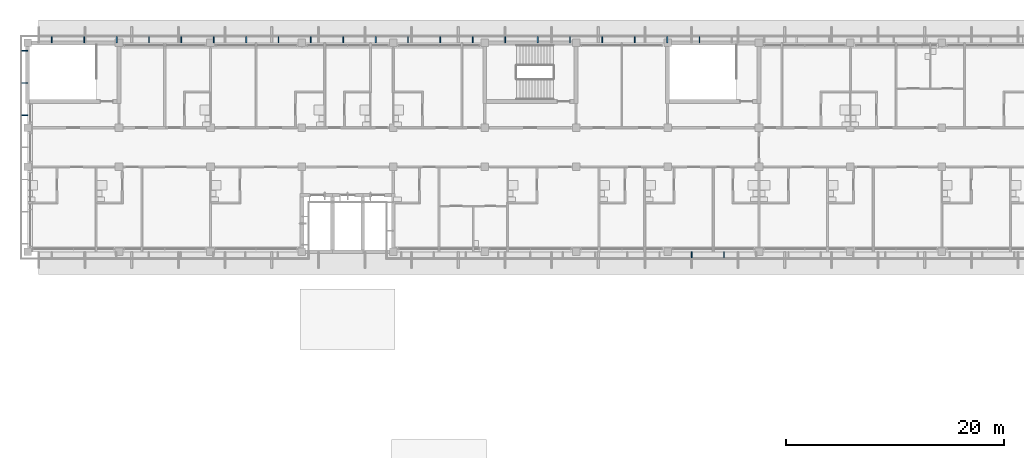
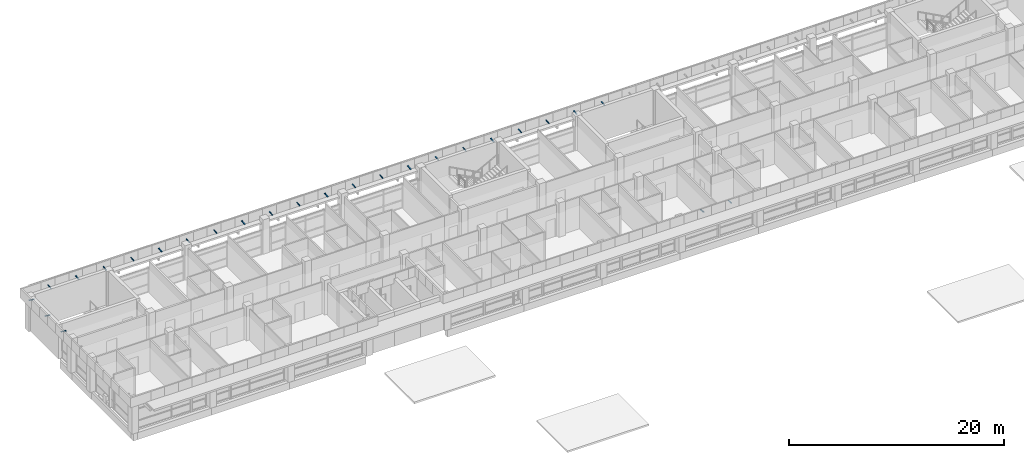
# One storey, part 25 of 36: 26 discrete accessories.
"""IFC4 building model written with IfcOpenShell, lengths in metres."""

from ifc_helpers import new_model, si_unit, direction, frame, origin, origin_2d, place, context, subcontext, project, spatial, rectangle, extrude, material, material_profile, profile_set, type_object, element, save


model = new_model("IFC4")

# Units and contexts
model_context = context("Model", 3, precision=1e-05, world=origin(), true_north=direction((0.0, 1.0)))
body_context = subcontext(model_context, "Body", "Model", "MODEL_VIEW")
ifc_project = project(units=[si_unit("LENGTHUNIT", "METRE"), si_unit("AREAUNIT", "SQUARE_METRE"), si_unit("VOLUMEUNIT", "CUBIC_METRE"), si_unit("PLANEANGLEUNIT", "RADIAN"), si_unit("MASSUNIT", "GRAM", prefix="KILO")], contexts=[model_context])

# Site, building, storey
site_placement = place(None, origin())
site = spatial("IfcSite", under=ifc_project, at=site_placement, CompositionType="ELEMENT")
building_placement = place(site_placement, origin())
building = spatial("IfcBuilding", under=site, at=building_placement, Name="Bougainvillea Quay General Hospital", CompositionType="ELEMENT")
storey_placement = place(building_placement, frame((0.0, 0.0, 32.699951171875)))
storey = spatial("IfcBuildingStorey", under=building, at=storey_placement, Name="L07", CompositionType="ELEMENT", Elevation=32.699951171875)

# Discrete accessories
ifc_material = material(Name="Stainless steel bracket, grade 316", Category="steel")
ifc_material_profile = material_profile(ifc_material, rectangle(XDim=0.080078125, YDim=0.050048828125, at=origin_2d()))
ifc_profile_set = profile_set([ifc_material_profile], Name="Stainless steel bracket, grade 316")
discrete_accessory_type = type_object("IfcDiscreteAccessoryType", Name="Stainless steel stand-off bracket 80x50", PredefinedType="BRACKET", material=ifc_profile_set)
for number, where, z_axis, x_axis, name in (
    (1, (103.731201171875, 159.60009765625, 3.840087890625), (0.0, 0.994086591779, 0.108590276011), (-1.0, 0.0, 0.0), "Fascia bracket e0 55"),
    (2, (100.75634765625, 159.60009765625, 3.840087890625), (0.0, 0.994086591779, 0.108590276011), (-1.0, 0.0, 0.0), "Fascia bracket e0 57"),
    (3, (97.78125, 159.60009765625, 3.840087890625), (0.0, 0.994086591779, 0.108590276011), (-1.0, 0.0, 0.0), "Fascia bracket e0 59"),
    (4, (94.80615234375, 159.60009765625, 3.840087890625), (0.0, 0.994086591779, 0.108590276011), (-1.0, 0.0, 0.0), "Fascia bracket e0 61"),
    (5, (91.831298828125, 159.60009765625, 3.840087890625), (0.0, 0.994086591779, 0.108590276011), (-1.0, 0.0, 0.0), "Fascia bracket e0 63"),
    (6, (88.856201171875, 159.60009765625, 3.840087890625), (0.0, 0.994086591779, 0.108590276011), (-1.0, 0.0, 0.0), "Fascia bracket e0 65"),
    (7, (85.88134765625, 159.60009765625, 3.840087890625), (0.0, 0.994086591779, 0.108590276011), (-1.0, 0.0, 0.0), "Fascia bracket e0 67"),
    (8, (82.90625, 159.60009765625, 3.840087890625), (0.0, 0.994086591779, 0.108590276011), (-1.0, 0.0, 0.0), "Fascia bracket e0 69"),
    (9, (79.93115234375, 159.60009765625, 3.840087890625), (0.0, 0.994086591779, 0.108590276011), (-1.0, 0.0, 0.0), "Fascia bracket e0 71"),
    (10, (76.956298828125, 159.60009765625, 3.840087890625), (0.0, 0.994086591779, 0.108590276011), (-1.0, 0.0, 0.0), "Fascia bracket e0 73"),
    (11, (73.981201171875, 159.60009765625, 3.840087890625), (0.0, 0.994086591779, 0.108590276011), (-1.0, 0.0, 0.0), "Fascia bracket e0 75"),
    (12, (71.00634765625, 159.60009765625, 3.840087890625), (0.0, 0.994086591779, 0.108590276011), (-1.0, 0.0, 0.0), "Fascia bracket e0 77"),
    (13, (68.03125, 159.60009765625, 3.840087890625), (0.0, 0.994086591779, 0.108590276011), (-1.0, 0.0, 0.0), "Fascia bracket e0 79"),
    (14, (65.05615234375, 159.60009765625, 3.840087890625), (0.0, 0.994086591779, 0.108590276011), (-1.0, 0.0, 0.0), "Fascia bracket e0 81"),
    (15, (62.081298828125, 159.60009765625, 3.840087890625), (0.0, 0.994086591779, 0.108590276011), (-1.0, 0.0, 0.0), "Fascia bracket e0 83"),
    (16, (59.106201171875, 159.60009765625, 3.840087890625), (0.0, 0.994086591779, 0.108590276011), (-1.0, 0.0, 0.0), "Fascia bracket e0 85"),
    (17, (56.13134765625, 159.60009765625, 3.840087890625), (0.0, 0.994086591779, 0.108590276011), (-1.0, 0.0, 0.0), "Fascia bracket e0 87"),
    (18, (53.15625, 159.60009765625, 3.840087890625), (0.0, 0.994086591779, 0.108590276011), (-1.0, 0.0, 0.0), "Fascia bracket e0 89"),
    (19, (50.18115234375, 159.60009765625, 3.840087890625), (0.0, 0.994086591779, 0.108590276011), (-1.0, 0.0, 0.0), "Fascia bracket e0 91"),
    (20, (47.206298828125, 159.60009765625, 3.840087890625), (0.0, 0.994086591779, 0.108590276011), (-1.0, 0.0, 0.0), "Fascia bracket e0 93"),
    (21, (44.231201171875, 159.60009765625, 3.840087890625), (0.0, 0.994086591779, 0.108590276011), (-1.0, 0.0, 0.0), "Fascia bracket e0 95"),
):
    element("IfcDiscreteAccessory", number, at=place(storey_placement, frame(where, z_axis=z_axis, x_axis=x_axis)), inside=storey, type_object=discrete_accessory_type, Name=name, PredefinedType="BRACKET", context=body_context, shape_type="SweptSolid", body=[
        extrude(rectangle(XDim=0.080078125, YDim=0.050048828125, at=origin_2d()), origin(), (0.0, 0.0, 1.0), 0.552978515625),
    ])
for number, where, z_axis, x_axis, name in (
    (22, (42.0, 158.861572265625, 3.840087890625), (-0.994091793559, 0.0, 0.108542645901), (0.0, -1.0, 0.0), "Fascia bracket e0 97"),
    (23, (42.0, 155.90771484375, 3.840087890625), (-0.994091793559, 0.0, 0.108542645901), (0.0, -1.0, 0.0), "Fascia bracket e0 99"),
    (24, (42.0, 152.953857421875, 3.840087890625), (-0.994091793559, 0.0, 0.108542645901), (0.0, -1.0, 0.0), "Fascia bracket e0 101"),
):
    element("IfcDiscreteAccessory", number, at=place(storey_placement, frame(where, z_axis=z_axis, x_axis=x_axis)), inside=storey, type_object=discrete_accessory_type, Name=name, PredefinedType="BRACKET", context=body_context, shape_type="SweptSolid", body=[
        extrude(rectangle(XDim=0.080078125, YDim=0.050048828125, at=origin_2d()), origin(), (0.0, 0.0, 1.0), 0.55322265625),
    ])
for number, where, z_axis, x_axis, name in (
    (25, (103.0234375, 140.39990234375, 3.840087890625), (0.0, -0.994086591779, 0.108590276011), (1.0, 0.0, 0.0), "Fascia bracket e0 159"),
    (26, (105.98828125, 140.39990234375, 3.840087890625), (0.0, -0.994086591779, 0.108590276011), (1.0, 0.0, 0.0), "Fascia bracket e0 161"),
):
    element("IfcDiscreteAccessory", number, at=place(storey_placement, frame(where, z_axis=z_axis, x_axis=x_axis)), inside=storey, type_object=discrete_accessory_type, Name=name, PredefinedType="BRACKET", context=body_context, shape_type="SweptSolid", body=[
        extrude(rectangle(XDim=0.080078125, YDim=0.050048828125, at=origin_2d()), origin(), (0.0, 0.0, 1.0), 0.552978515625),
    ])

save(model, "model.ifc")
